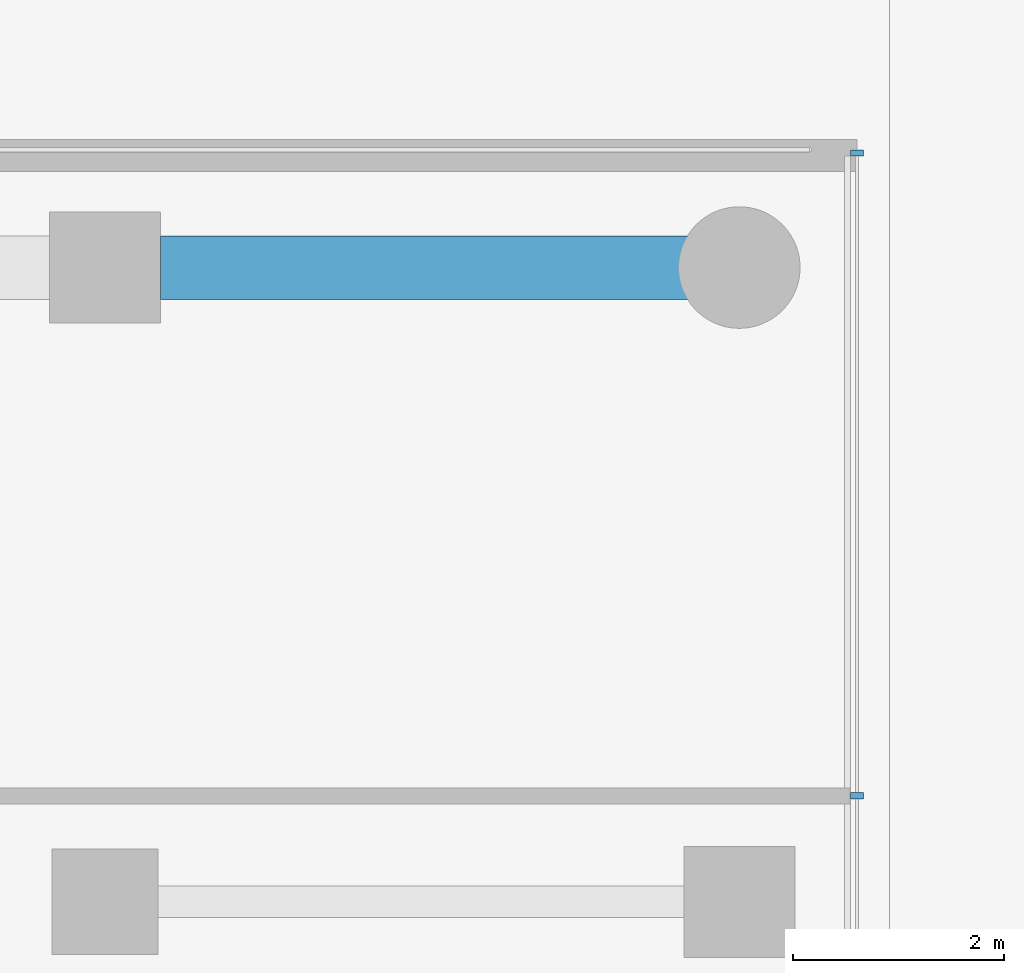
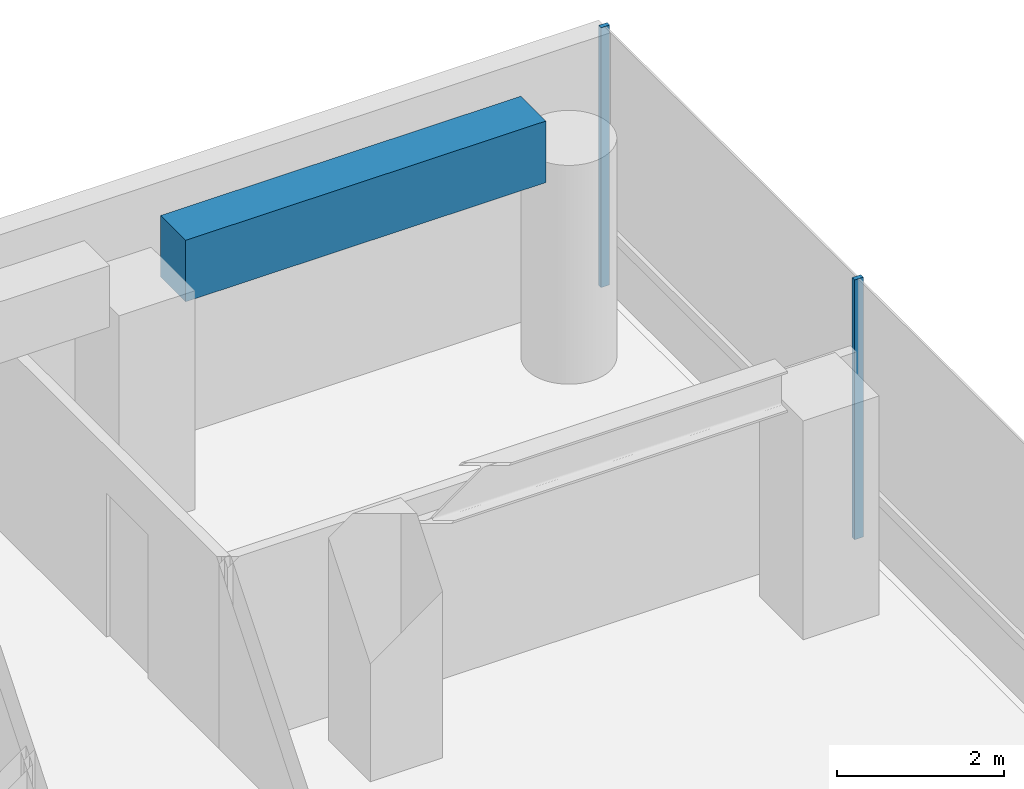
# One storey, part 22 of 30: 2 members, 1 beam, 1 element without a shape of its own.
"""IFC4 building model written with IfcOpenShell, lengths in metres."""

from ifc_helpers import new_model, si_unit, direction, frame, origin, origin_2d, place, context, subcontext, project, spatial, rectangle, extrude, material, layer, layer_set, material_profile, profile_set, type_object, element, aggregate, save


model = new_model("IFC4")

# Units and contexts
model_context = context("Model", 3, precision=1e-05, world=origin(), true_north=direction((0.0, 1.0)))
body_context = subcontext(model_context, "Body", "Model", "MODEL_VIEW")
ifc_project = project(units=[si_unit("LENGTHUNIT", "METRE"), si_unit("AREAUNIT", "SQUARE_METRE"), si_unit("VOLUMEUNIT", "CUBIC_METRE"), si_unit("PLANEANGLEUNIT", "RADIAN"), si_unit("MASSUNIT", "GRAM", prefix="KILO")], contexts=[model_context])

# Site, building, storey
site_placement = place(None, origin())
site = spatial("IfcSite", under=ifc_project, at=site_placement, CompositionType="ELEMENT")
building_placement = place(site_placement, origin())
building = spatial("IfcBuilding", under=site, at=building_placement, Name="Welwitschia Terrace Campus", CompositionType="ELEMENT")
storey_placement = place(building_placement, frame((0.0, 0.0, 75.199951171875)))
storey = spatial("IfcBuildingStorey", under=building, at=storey_placement, Name="L17", CompositionType="ELEMENT", Elevation=75.199951171875)

# Curtain wall, members
ifc_material_1 = material(Name="Bronze anodised aluminium", Category="aluminium")
ifc_layer = layer(ifc_material_1, 0.1201171875)
ifc_layer_set = layer_set([ifc_layer], Name="Bronze anodised aluminium")
curtain_wall_type = type_object("IfcCurtainWallType", Name="Curtain wall CW2 tower 6000", PredefinedType="NOTDEFINED", material=ifc_layer_set)
curtain_wall_placement = place(storey_placement, origin())
curtain_wall = element("IfcCurtainWall", 1, at=curtain_wall_placement, inside=storey, type_object=curtain_wall_type, Name="CW L17.12.0", PredefinedType="NOTDEFINED")
ifc_material_2 = material(Name="Bronze anodised aluminium", Category="aluminium")
ifc_material_profile_1 = material_profile(ifc_material_2, rectangle(XDim=0.1201171875, YDim=0.06005859375, at=origin_2d()))
ifc_profile_set_1 = profile_set([ifc_material_profile_1], Name="Bronze anodised aluminium")
member_type = type_object("IfcMemberType", Name="Mullion 60x120", PredefinedType="MULLION", material=ifc_profile_set_1)
member_1_placement = place(storey_placement, frame((25.114013671875, 57.005126953125, 0.0), z_axis=(0.0, 0.0, 1.0), x_axis=(-1.0, 0.0, 0.0)))
member_1 = element("IfcMember", 2, at=member_1_placement, type_object=member_type, Name="Mullion L17.12.0.5", PredefinedType="MULLION", context=body_context, shape_type="SweptSolid", body=[
    extrude(rectangle(XDim=0.1201171875, YDim=0.06005859375, at=origin_2d()), origin(), (0.0, 0.0, 1.0), 3.800048828125),
])
member_2_placement = place(storey_placement, frame((25.114013671875, 63.083984375, 0.0), z_axis=(0.0, 0.0, 1.0), x_axis=(-1.0, 0.0, 0.0)))
member_2 = element("IfcMember", 3, at=member_2_placement, type_object=member_type, Name="Mullion L17.12.0.6", PredefinedType="MULLION", context=body_context, shape_type="SweptSolid", body=[
    extrude(rectangle(XDim=0.1201171875, YDim=0.06005859375, at=origin_2d()), origin(), (0.0, 0.0, 1.0), 3.800048828125),
])
aggregate(curtain_wall, [member_1, member_2])

# Beam
ifc_material_3 = material(Name="Concrete C60/75", Category="concrete")
ifc_material_profile_2 = material_profile(ifc_material_3, rectangle(XDim=0.60009765625, YDim=0.89990234375, at=origin_2d()))
ifc_profile_set_2 = profile_set([ifc_material_profile_2], Name="Concrete C60/75")
beam_type = type_object("IfcBeamType", Name="Ring spandrel 600x900", PredefinedType="SPANDREL", material=ifc_profile_set_2)
beam_placement = place(storey_placement, frame((23.508544921875, 62.0, 3.35009765625), z_axis=(-1.0, 0.0, 0.0), x_axis=(0.0, -1.0, 0.0)))
element("IfcBeam", 4, at=beam_placement, inside=storey, type_object=beam_type, Name="Spandrel SP2", PredefinedType="SPANDREL", context=body_context, shape_type="SweptSolid", body=[
    extrude(rectangle(XDim=0.60009765625, YDim=0.89990234375, at=origin_2d()), origin(), (0.0, 0.0, 1.0), 4.983154296875),
])

save(model, "model.ifc")
